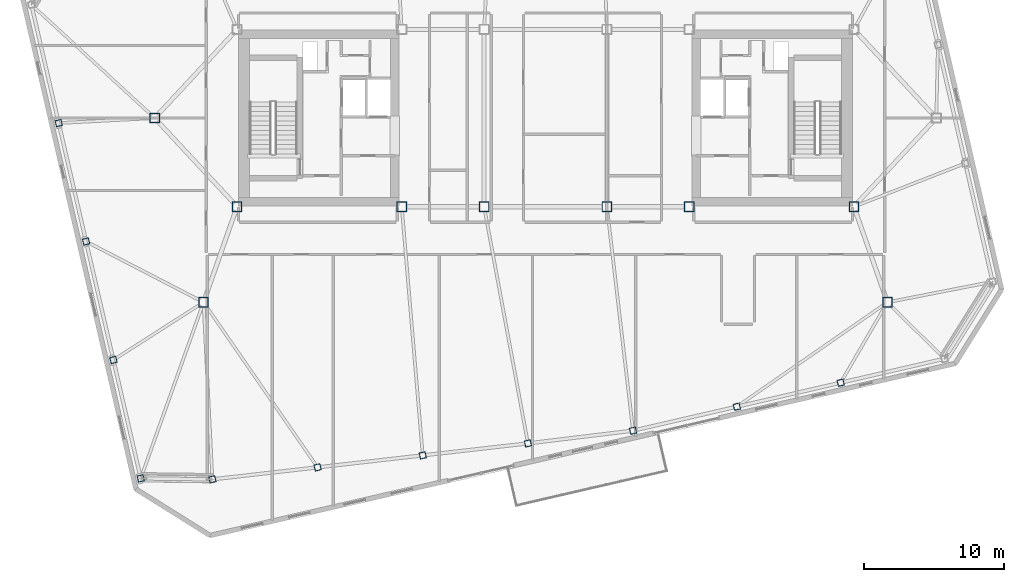
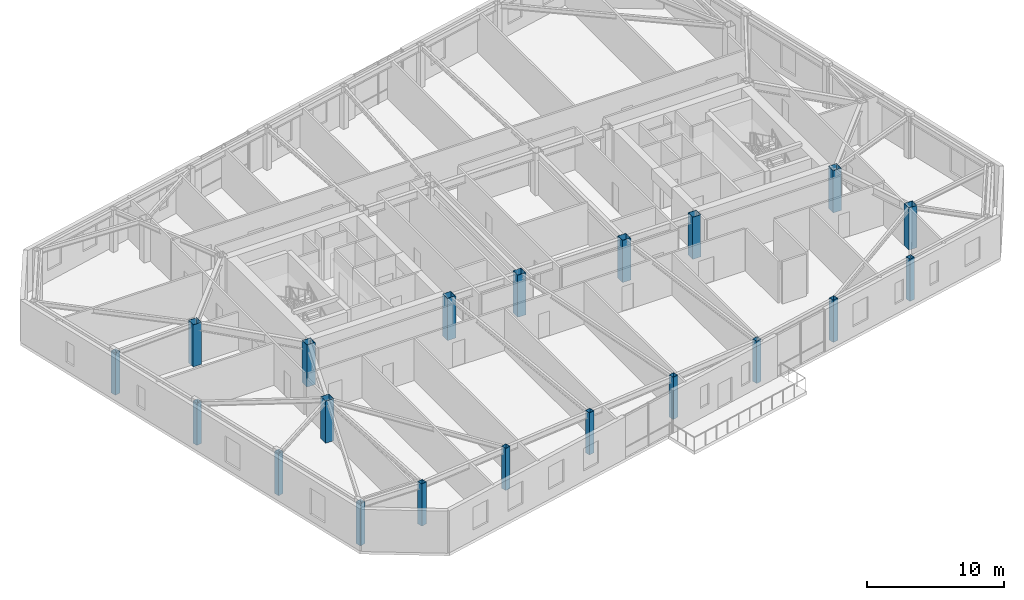
# One storey, part 1 of 24: 20 columns.
"""IFC4 building model written with IfcOpenShell, lengths in metres."""

from ifc_helpers import new_model, si_unit, direction, frame, origin, origin_2d, place, context, subcontext, project, spatial, hollow_rectangle, extrude, material, material_profile, profile_set, type_object, element, save


model = new_model("IFC4")

# Units and contexts
model_context = context("Model", 3, precision=1e-05, world=origin(), true_north=direction((0.0, 1.0)))
body_context = subcontext(model_context, "Body", "Model", "MODEL_VIEW")
ifc_project = project(units=[si_unit("LENGTHUNIT", "METRE"), si_unit("AREAUNIT", "SQUARE_METRE"), si_unit("VOLUMEUNIT", "CUBIC_METRE"), si_unit("PLANEANGLEUNIT", "RADIAN"), si_unit("MASSUNIT", "GRAM", prefix="KILO")], contexts=[model_context])

# Site, building, storey
site_placement = place(None, origin())
site = spatial("IfcSite", under=ifc_project, at=site_placement, CompositionType="ELEMENT")
building_placement = place(site_placement, origin())
building = spatial("IfcBuilding", under=site, at=building_placement, Name="Tavrogorsk Clinical Tower", CompositionType="ELEMENT")
storey_placement = place(building_placement, frame((0.0, 0.0, 325.0)))
storey = spatial("IfcBuildingStorey", under=building, at=storey_placement, Name="L76", CompositionType="ELEMENT", Elevation=325.0)

# Columns
ifc_material_1 = material(Name="Structural steel S440", Category="steel")
ifc_material_profile_1 = material_profile(ifc_material_1, hollow_rectangle(XDim=0.699951171875, YDim=0.699951171875, WallThickness=0.031982421875, at=origin_2d()), Name="BOX-700x700x32")
ifc_profile_set_1 = profile_set([ifc_material_profile_1], Name="Structural steel S440")
column_type_1 = type_object("IfcColumnType", Name="MegaCol_BOX700", PredefinedType="COLUMN", material=ifc_profile_set_1)
for number, where, z_axis, x_axis, name in (
    (1, (-22.10009765625, -6.35009765625, 0.0), (0.0, 0.0, 1.0), (1.0, 0.0, 0.0), "L76 Mega Column MC-W1"),
    (2, (-10.300048828125, -6.35009765625, 0.0), (0.0, 0.0, 1.0), (1.0, 0.0, 0.0), "L76 Mega Column MC-W3"),
    (3, (10.300048828125, -6.35009765625, 0.0), (0.0, 0.0, 1.0), (1.0, 0.0, 0.0), "L76 Mega Column MC-E1"),
    (4, (22.10009765625, -6.35009765625, 0.0), (0.0, 0.0, 1.0), (1.0, 0.0, 0.0), "L76 Mega Column MC-E3"),
    (5, (-4.39990234375, -6.35009765625, 0.0), (0.0, 0.0, 1.0), (1.0, 0.0, 0.0), "L76 Mega Column MC-C1"),
    (6, (4.39990234375, -6.35009765625, 0.0), (0.0, 0.0, 1.0), (1.0, 0.0, 0.0), "L76 Mega Column MC-C2"),
    (7, (-24.5, -13.199951171875, 0.0), (0.0, 0.0, 1.0), (1.0, 0.0, 0.0), "L76 Spine Pilotis Column MC-P1"),
    (8, (24.5, -13.199951171875, 0.0), (0.0, 0.0, 1.0), (1.0, 0.0, 0.0), "L76 Spine Pilotis Column MC-P2"),
    (9, (-28.0, 0.0, 0.0), (0.0, 0.0, 1.0), (1.0, 0.0, 0.0), "L76 Spine Pilotis Column MC-P5"),
):
    element("IfcColumn", number, at=place(storey_placement, frame(where, z_axis=z_axis, x_axis=x_axis)), inside=storey, type_object=column_type_1, Name=name, PredefinedType="COLUMN", context=body_context, shape_type="SweptSolid", body=[
        extrude(hollow_rectangle(XDim=0.699951171875, YDim=0.699951171875, WallThickness=0.031982421875, at=origin_2d()), origin(), (0.0, 0.0, 1.0), 3.739990234375),
    ])
ifc_material_2 = material(Name="Structural steel S440", Category="steel")
ifc_material_profile_2 = material_profile(ifc_material_2, hollow_rectangle(XDim=0.449951171875, YDim=0.449951171875, WallThickness=0.02197265625, at=origin_2d()), Name="BOX-450x450x22")
ifc_profile_set_2 = profile_set([ifc_material_profile_2], Name="Structural steel S440")
column_type_2 = type_object("IfcColumnType", Name="PerimCol_B5_BOX450", PredefinedType="COLUMN", material=ifc_profile_set_2)
for number, where, z_axis, x_axis, name in (
    (10, (-23.866943359375, -25.8857421875, 0.0), (0.0, 0.0, 1.0), (0.974370064785, 0.224951054344, 0.0), "L76 Perimeter Column S1"),
    (11, (-16.330322265625, -25.027099609375, 0.0), (0.0, 0.0, 1.0), (0.974370064785, 0.224951054344, 0.0), "L76 Perimeter Column S2"),
    (12, (-8.7939453125, -24.16845703125, 0.0), (0.0, 0.0, 1.0), (0.974370064785, 0.224951054344, 0.0), "L76 Perimeter Column S3"),
    (13, (-1.257568359375, -23.309814453125, 0.0), (0.0, 0.0, 1.0), (0.974370064785, 0.224951054344, 0.0), "L76 Perimeter Column S4"),
    (14, (6.272705078125, -22.39697265625, 0.0), (0.0, 0.0, 1.0), (0.974370064785, 0.224951054344, 0.0), "L76 Perimeter Column S5"),
    (15, (13.711181640625, -20.6796875, 0.0), (0.0, 0.0, 1.0), (0.974370064785, 0.224951054344, 0.0), "L76 Perimeter Column S6"),
    (16, (21.14990234375, -18.96240234375, 0.0), (0.0, 0.0, 1.0), (0.974370064785, 0.224951054344, 0.0), "L76 Perimeter Column S7"),
    (17, (-34.876708984375, -0.358642578125, 0.0), (0.0, 0.0, 1.0), (0.974370064785, 0.224951054344, 0.0), "L76 Perimeter Column W2"),
    (18, (-32.917236328125, -8.845458984375, 0.0), (0.0, 0.0, 1.0), (0.974370064785, 0.224951054344, 0.0), "L76 Perimeter Column W3"),
    (19, (-30.9580078125, -17.332275390625, 0.0), (0.0, 0.0, 1.0), (0.974370064785, 0.224951054344, 0.0), "L76 Perimeter Column W4"),
    (20, (-28.99853515625, -25.819091796875, 0.0), (0.0, 0.0, 1.0), (0.974370064785, 0.224951054344, 0.0), "L76 Perimeter Column W5"),
):
    element("IfcColumn", number, at=place(storey_placement, frame(where, z_axis=z_axis, x_axis=x_axis)), inside=storey, type_object=column_type_2, Name=name, PredefinedType="COLUMN", context=body_context, shape_type="SweptSolid", body=[
        extrude(hollow_rectangle(XDim=0.449951171875, YDim=0.449951171875, WallThickness=0.02197265625, at=origin_2d()), origin(), (0.0, 0.0, 1.0), 3.739990234375),
    ])

save(model, "model.ifc")
